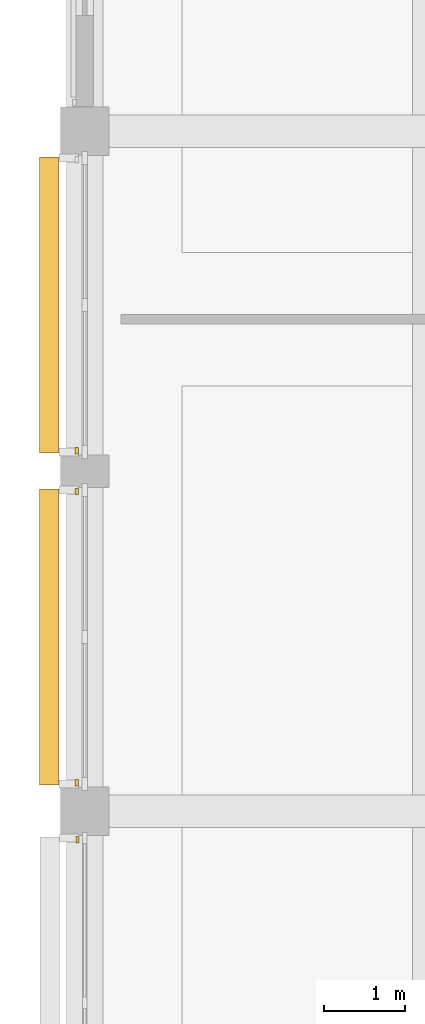
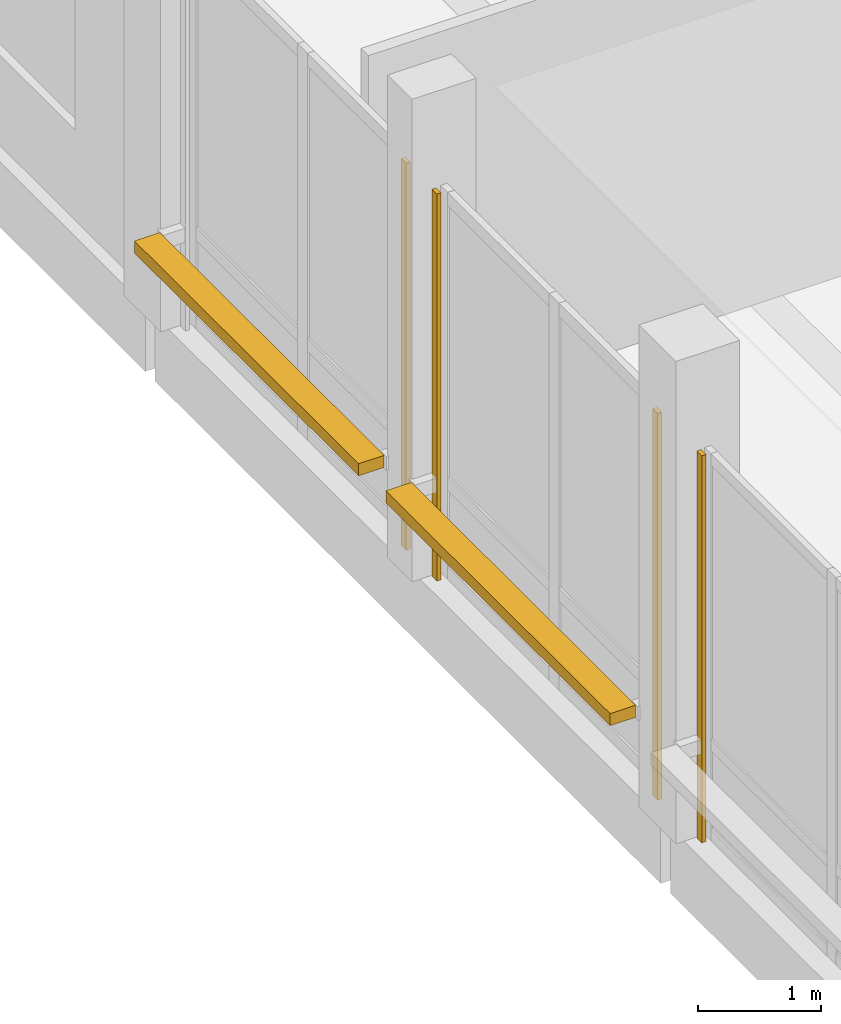
# One storey, part 98 of 122: 4 coverings, 2 shading devices.
"""IFC4 building model written with IfcOpenShell, lengths in metres."""

import ifcopenshell
import ifcopenshell.guid

model = None  # the IFC model being written
_history = None  # IfcOwnerHistory: only IFC2X3 demands one
_inside = {}  # id of a spatial element -> (the spatial element, [elements in it])
_under = {}  # id of a project, library or spatial element -> (it, [spatial elements below it])
_declared = {}  # id of a project -> (the project, [libraries it declares])
_typed = {}  # id of a type object -> (the type object, [elements of that type])
_made_of = {}  # id of a material, layer set ... -> (it, [elements and type objects made of it])


def new_model(schema):
    """Start an empty IFC model of exactly this schema.

    Asked for "IFC4X3", IfcOpenShell would pick the latest addendum, in which some entities
    have other attributes; the version numbers below select the first issue.
    IFC2X3 requires an IfcOwnerHistory on every rooted entity: one is made here for all.
    """
    global model, _history
    if schema == "IFC4X3":
        model = ifcopenshell.file(schema_version=(4, 3, 0, 0))
    else:
        model = ifcopenshell.file(schema=schema)
    _inside.clear()
    _under.clear()
    _declared.clear()
    _typed.clear()
    _made_of.clear()
    _history = None
    if model.schema == "IFC2X3":
        org = make("IfcOrganization", Name="unknown")
        user = make(
            "IfcPersonAndOrganization",
            ThePerson=make("IfcPerson", FamilyName="unknown"),
            TheOrganization=org,
        )
        app = make(
            "IfcApplication",
            ApplicationDeveloper=org,
            Version="unknown",
            ApplicationFullName="unknown",
            ApplicationIdentifier="unknown",
        )
        _history = make(
            "IfcOwnerHistory",
            OwningUser=user,
            OwningApplication=app,
            ChangeAction="ADDED",
            CreationDate=0,
        )
    return model


def make(cls, **values):
    """One entity of the class cls with the attributes given. An attribute that is None is left unset."""
    return model.create_entity(
        cls, **{name: value for name, value in values.items() if value is not None}
    )


def rooted(cls, **values):
    """An entity with a GlobalId (a new one), such as an element, a storey or a relation."""
    return make(cls, GlobalId=ifcopenshell.guid.new(), OwnerHistory=_history, **values)


def si_unit(unit_type, name, prefix=None):
    """IfcSIUnit, for example si_unit("LENGTHUNIT", "METRE", prefix="MILLI")."""
    return make("IfcSIUnit", UnitType=unit_type, Prefix=prefix, Name=name)


def assignment(units):
    """IfcUnitAssignment: the units of a project."""
    return None if units is None else make("IfcUnitAssignment", Units=units)


def point(xyz):
    """IfcCartesianPoint."""
    return None if xyz is None else make("IfcCartesianPoint", Coordinates=xyz)


def direction(xyz):
    """IfcDirection."""
    return None if xyz is None else make("IfcDirection", DirectionRatios=xyz)


def frame(location, z_axis=None, x_axis=None):
    """IfcAxis2Placement3D, a coordinate frame: its origin and axes. An axis left out is left unset."""
    return make(
        "IfcAxis2Placement3D",
        Location=point(location),
        Axis=direction(z_axis),
        RefDirection=direction(x_axis),
    )


def frame_2d(location, x_axis=None):
    """IfcAxis2Placement2D, a coordinate frame in the plane: its origin and x axis."""
    return make(
        "IfcAxis2Placement2D", Location=point(location), RefDirection=direction(x_axis)
    )


def origin():
    """The frame at (0, 0, 0) with its axes left unset."""
    return frame((0.0, 0.0, 0.0))


def origin_2d():
    """The frame at (0, 0) in the plane with its x axis left unset."""
    return frame_2d((0.0, 0.0))


def place(relative_to, where):
    """IfcLocalPlacement: puts the frame where relative to a parent placement (None: the world)."""
    return make(
        "IfcLocalPlacement", PlacementRelTo=relative_to, RelativePlacement=where
    )


def context(
    kind, dimensions, precision=None, world=None, true_north=None, identifier=None
):
    """IfcGeometricRepresentationContext, for example the 3D "Model" context."""
    return make(
        "IfcGeometricRepresentationContext",
        ContextIdentifier=identifier,
        ContextType=kind,
        CoordinateSpaceDimension=dimensions,
        Precision=precision,
        WorldCoordinateSystem=world,
        TrueNorth=true_north,
    )


def subcontext(parent, identifier, kind, view, scale=None):
    """IfcGeometricRepresentationSubContext, for example "Body" below "Model"."""
    return make(
        "IfcGeometricRepresentationSubContext",
        ContextIdentifier=identifier,
        ContextType=kind,
        ParentContext=parent,
        TargetScale=scale,
        TargetView=view,
    )


def project(units=None, contexts=None):
    """IfcProject with its units and contexts."""
    return rooted(
        "IfcProject",
        Name="project",
        RepresentationContexts=contexts,
        UnitsInContext=assignment(units),
    )


def spatial(cls, under=None, at=None, **own):
    """A site, building, storey or space (cls), placed at a placement, below another one or the project."""
    s = rooted(cls, ObjectPlacement=at, **own)
    if under is not None:
        _under.setdefault(under.id(), (under, []))[1].append(s)
    return s


def profile(cls, at=None, kind="AREA", **sizes):
    """A parametric profile (cls). Its sizes go by their IFC names, for example OverallWidth=200.0."""
    return make(cls, ProfileType=kind, Position=at, **sizes)


def rectangle(**sizes):
    """IfcRectangleProfileDef."""
    return profile("IfcRectangleProfileDef", **sizes)


def extrude(swept, where, along, depth):
    """IfcExtrudedAreaSolid: the profile swept, set in the frame where, extruded along a direction by depth."""
    return make(
        "IfcExtrudedAreaSolid",
        SweptArea=swept,
        Position=where,
        ExtrudedDirection=direction(along),
        Depth=depth,
    )


def shape(context_of_items, identifier, shape_type, items):
    """IfcShapeRepresentation: the items that make up one representation, for example the "Body"."""
    return make(
        "IfcShapeRepresentation",
        ContextOfItems=context_of_items,
        RepresentationIdentifier=identifier,
        RepresentationType=shape_type,
        Items=items,
    )


def material(Name=None, Category=None):
    """IfcMaterial."""
    return make("IfcMaterial", Name=Name, Category=Category)


def layer(
    of_material, thickness, ventilated=None, Name=None, Category=None, Priority=None
):
    """IfcMaterialLayer: one layer of a wall or slab, of a material (None: an air gap)."""
    return make(
        "IfcMaterialLayer",
        Material=of_material,
        LayerThickness=thickness,
        IsVentilated=ventilated,
        Name=Name,
        Category=Category,
        Priority=Priority,
    )


def layer_set(layers, Name=None):
    """IfcMaterialLayerSet."""
    return make("IfcMaterialLayerSet", MaterialLayers=layers, LayerSetName=Name)


def made_of(thing, what):
    """Note that an element or type object is made of a material, layer set ...; save() writes the relation."""
    if what is not None:
        _made_of.setdefault(what.id(), (what, []))[1].append(thing)
    return thing


def type_object(cls, material=None, **own):
    """A type object (cls), such as IfcWallType, which elements share."""
    return made_of(rooted(cls, **own), material)


def element(
    cls,
    number,
    at=None,
    inside=None,
    cuts=None,
    type_object=None,
    material=None,
    context=None,
    identifier="Body",
    shape_type=None,
    held_by="IfcProductDefinitionShape",
    body=None,
    shapes=None,
    **own,
):
    """One element of the class cls, such as IfcWall. Its Tag is "e" and its number.

    at: its placement. inside: the storey or other place that contains it. cuts: it is an
    opening in that element (IfcRelVoidsElement). A single representation is given by context,
    identifier, shape_type and body (its items); several are given by shapes. held_by: the class
    of the entity that holds the representations. save() writes the other relations.
    """
    e = rooted(cls, Tag="e%d" % number, ObjectPlacement=at, **own)
    if body is not None:
        shapes = [shape(context, identifier, shape_type, body)]
    if shapes is not None:
        e.Representation = make(held_by, Representations=shapes)
    if inside is not None:
        _inside.setdefault(inside.id(), (inside, []))[1].append(e)
    if cuts is not None:
        rooted(
            "IfcRelVoidsElement", RelatingBuildingElement=cuts, RelatedOpeningElement=e
        )
    if type_object is not None:
        _typed.setdefault(type_object.id(), (type_object, []))[1].append(e)
    return made_of(e, material)


def aggregate(whole, parts):
    """IfcRelAggregates: a whole, such as a stair, and the parts it consists of."""
    return rooted("IfcRelAggregates", RelatingObject=whole, RelatedObjects=parts)


def save(model, path):
    """Write the relations noted so far, then the file.

    IfcRelAggregates (storeys below a building ...), IfcRelContainedInSpatialStructure (elements
    in a storey), IfcRelDefinesByType, IfcRelAssociatesMaterial and IfcRelDeclares: one each for
    every whole, place, type object, material and project.
    """
    for whole, parts in _under.values():
        aggregate(whole, parts)
    for where, things in _inside.values():
        rooted(
            "IfcRelContainedInSpatialStructure",
            RelatedElements=things,
            RelatingStructure=where,
        )
    for kind, things in _typed.values():
        rooted("IfcRelDefinesByType", RelatedObjects=things, RelatingType=kind)
    for what, things in _made_of.values():
        rooted("IfcRelAssociatesMaterial", RelatedObjects=things, RelatingMaterial=what)
    for by, libraries in _declared.values():
        rooted("IfcRelDeclares", RelatingContext=by, RelatedDefinitions=libraries)
    model.write(path)


model = new_model("IFC4")

# Units and contexts
model_context = context("Model", 3, precision=1e-05, world=origin(), true_north=direction((0.0, 1.0)))
body_context = subcontext(model_context, "Body", "Model", "MODEL_VIEW")
ifc_project = project(units=[si_unit("LENGTHUNIT", "METRE"), si_unit("AREAUNIT", "SQUARE_METRE"), si_unit("VOLUMEUNIT", "CUBIC_METRE"), si_unit("PLANEANGLEUNIT", "RADIAN"), si_unit("MASSUNIT", "GRAM", prefix="KILO")], contexts=[model_context])

# Site, building, storey
site_placement = place(None, origin())
site = spatial("IfcSite", under=ifc_project, at=site_placement, CompositionType="ELEMENT")
building_placement = place(site_placement, origin())
building = spatial("IfcBuilding", under=site, at=building_placement, Name="Telukmera Botanical Conservatory", CompositionType="ELEMENT")
storey_placement = place(building_placement, frame((0.0, 0.0, 10.199951171875)))
storey = spatial("IfcBuildingStorey", under=building, at=storey_placement, Name="L02", CompositionType="ELEMENT", Elevation=10.199951171875)

# Coverings
ifc_material_1 = material(Name="Granite-faced precast concrete C40/50", Category="masonry")
ifc_layer_1 = layer(ifc_material_1, 0.0400390625)
ifc_layer_set_1 = layer_set([ifc_layer_1], Name="Granite-faced precast concrete C40/50")
covering_type = type_object("IfcCoveringType", Name="Granite Precast Column Pier Reveal Casing", PredefinedType="CLADDING", material=ifc_layer_set_1)
for number, where, z_axis, x_axis, name in (
    (1, (8.31005859375, 49.248046875, 0.0), (0.0, 0.0, 1.0), (0.0, 1.0, 0.0), "Granite Pier Reveal V3:L02:W4 R"),
    (2, (8.300048828125, 49.951904296875, 0.0), (0.0, 0.0, 1.0), (0.0, 1.0, 0.0), "Granite Pier Reveal V3:L02:W5A L"),
    (3, (8.300048828125, 53.548095703125, 0.0), (0.0, 0.0, 1.0), (0.0, 1.0, 0.0), "Granite Pier Reveal V3:L02:W5A R"),
    (4, (8.300048828125, 54.052001953125, 0.0), (0.0, 0.0, 1.0), (0.0, 1.0, 0.0), "Granite Pier Reveal V3:L02:W5B L"),
):
    element("IfcCovering", number, at=place(storey_placement, frame(where, z_axis=z_axis, x_axis=x_axis)), inside=storey, type_object=covering_type, Name=name, PredefinedType="CLADDING", context=body_context, shape_type="SweptSolid", body=[
        extrude(rectangle(XDim=0.080078125, YDim=0.0400390625, at=origin_2d()), origin(), (0.0, 0.0, 1.0), 3.85009765625),
    ])

# Shading devices
ifc_material_2 = material(Name="Perforated terracotta-anodised aluminium 6063-T6", Category="masonry")
ifc_layer_2 = layer(ifc_material_2, 0.044921875)
ifc_layer_set_2 = layer_set([ifc_layer_2], Name="Perforated terracotta-anodised aluminium 6063-T6")
shading_device_type = type_object("IfcShadingDeviceType", Name="Perforated Terracotta Aluminium Monsoon Brise Soleil", PredefinedType="JALOUSIE", material=ifc_layer_set_2)
for number, where, z_axis, x_axis, name in (
    (5, (7.9599609375, 51.75, 0.889892578125), (0.0, 0.0, 1.0), (0.0, 1.0, 0.0), "Monsoon Shading BS01 V3:L02:W5A"),
    (6, (7.9599609375, 55.85009765625, 0.889892578125), (0.0, 0.0, 1.0), (0.0, 1.0, 0.0), "Monsoon Shading BS01 V3:L02:W5B"),
):
    element("IfcShadingDevice", number, at=place(storey_placement, frame(where, z_axis=z_axis, x_axis=x_axis)), inside=storey, type_object=shading_device_type, Name=name, PredefinedType="JALOUSIE", context=body_context, shape_type="SweptSolid", body=[
        extrude(rectangle(XDim=3.656005859375, YDim=0.239990234375, at=origin_2d()), origin(), (0.0, 0.0, 1.0), 0.1201171875),
    ])

save(model, "model.ifc")
